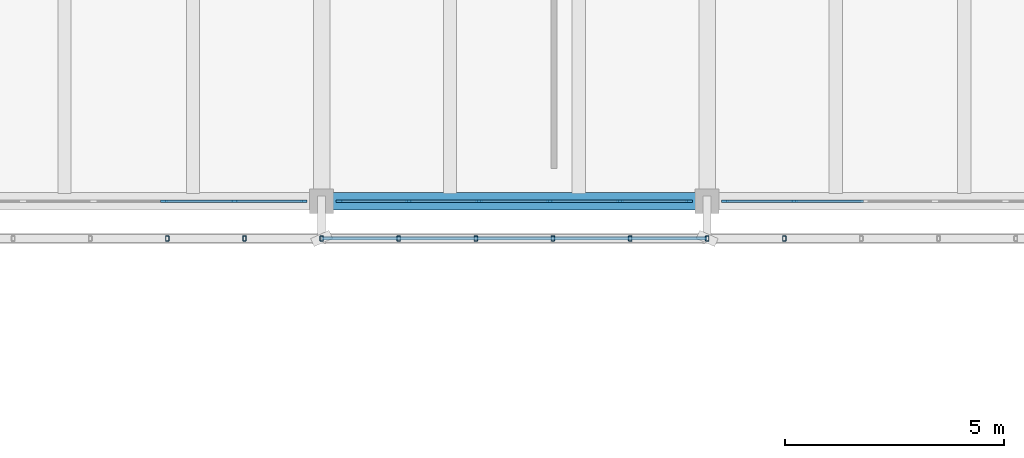
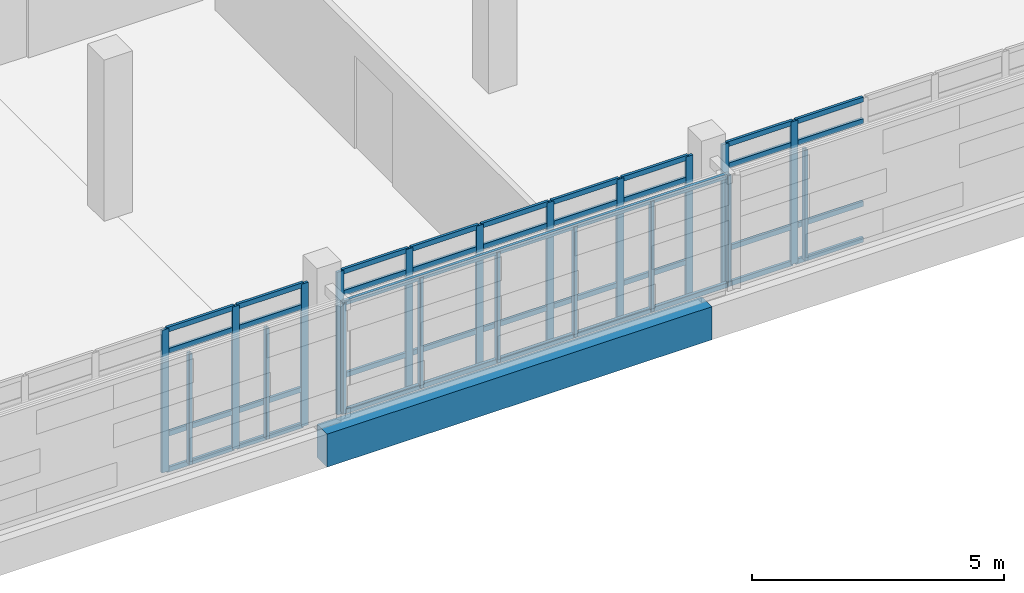
# One storey, part 53 of 117: 58 members, 1 beam, 3 elements without a shape of their own.
"""IFC4 building model written with IfcOpenShell, lengths in metres."""

from ifc_helpers import new_model, si_unit, direction, frame, origin, origin_2d, place, context, subcontext, project, spatial, rectangle, hollow_rectangle, extrude, material, material_profile, profile_set, type_object, element, aggregate, save


model = new_model("IFC4")

# Units and contexts
model_context = context("Model", 3, precision=1e-05, world=origin(), true_north=direction((0.0, 1.0)))
body_context = subcontext(model_context, "Body", "Model", "MODEL_VIEW")
ifc_project = project(units=[si_unit("LENGTHUNIT", "METRE"), si_unit("AREAUNIT", "SQUARE_METRE"), si_unit("VOLUMEUNIT", "CUBIC_METRE"), si_unit("PLANEANGLEUNIT", "RADIAN"), si_unit("MASSUNIT", "GRAM", prefix="KILO")], contexts=[model_context])

# Site, building, storey
site_placement = place(None, origin())
site = spatial("IfcSite", under=ifc_project, at=site_placement, CompositionType="ELEMENT")
building_placement = place(site_placement, origin())
building = spatial("IfcBuilding", under=site, at=building_placement, Name="Cinderway Yard Community Centre", CompositionType="ELEMENT")
storey_placement = place(building_placement, frame((0.0, 0.0, 9.0)))
storey = spatial("IfcBuildingStorey", under=building, at=storey_placement, Name="L02", CompositionType="ELEMENT", Elevation=9.0)

# Curtain wall, members
ifc_material_1 = material(Name="Aluminium 6063-T6", Category="aluminium")
curtain_wall_type = type_object("IfcCurtainWallType", Name="ENV-CW-TYPE-30", PredefinedType="USERDEFINED", material=ifc_material_1)
curtain_wall_1_placement = place(storey_placement, origin())
curtain_wall_1 = element("IfcCurtainWall", 1, at=curtain_wall_1_placement, inside=storey, type_object=curtain_wall_type, Name="V4 Courtyard Curtain Wall ENV-CW-L02-ST-0150", ObjectType="GLAZED CURTAIN WALL", PredefinedType="USERDEFINED")
ifc_material_profile_1 = material_profile(ifc_material_1, rectangle(XDim=0.06005859375, YDim=0.159912109375, at=origin_2d()), Name="Aluminium 6063-T6")
ifc_profile_set_1 = profile_set([ifc_material_profile_1], Name="Aluminium 6063-T6")
member_type_1 = type_object("IfcMemberType", Name="ENV-CW-MULL-150", PredefinedType="MULLION", material=ifc_profile_set_1)
member_1_placement = place(storey_placement, frame((89.2041015625, 90.0, 0.0), z_axis=(0.0, 0.0, 1.0), x_axis=(0.0, 1.0, 0.0)))
member_1 = element("IfcMember", 2, at=member_1_placement, type_object=member_type_1, Name="CW-30 mullion 4", PredefinedType="MULLION", context=body_context, shape_type="SweptSolid", body=[
    extrude(rectangle(XDim=0.06005859375, YDim=0.159912109375, at=origin_2d()), origin(), (0.0, 0.0, 1.0), 3.449951171875),
])
member_2_placement = place(storey_placement, frame((90.81201171875, 90.0, 0.0), z_axis=(0.0, 0.0, 1.0), x_axis=(0.0, 1.0, 0.0)))
member_2 = element("IfcMember", 3, at=member_2_placement, type_object=member_type_1, Name="CW-30 mullion 5", PredefinedType="MULLION", context=body_context, shape_type="SweptSolid", body=[
    extrude(rectangle(XDim=0.06005859375, YDim=0.159912109375, at=origin_2d()), origin(), (0.0, 0.0, 1.0), 3.449951171875),
])
member_3_placement = place(storey_placement, frame((92.389892578125, 90.0, 0.0), z_axis=(0.0, 0.0, 1.0), x_axis=(0.0, 1.0, 0.0)))
member_3 = element("IfcMember", 4, at=member_3_placement, type_object=member_type_1, Name="CW-30 mullion 6", PredefinedType="MULLION", context=body_context, shape_type="SweptSolid", body=[
    extrude(rectangle(XDim=0.06005859375, YDim=0.159912109375, at=origin_2d()), origin(), (0.0, 0.0, 1.0), 3.449951171875),
])

curtain_wall_2_placement = place(storey_placement, origin())
curtain_wall_2 = element("IfcCurtainWall", 5, at=curtain_wall_2_placement, inside=storey, type_object=curtain_wall_type, Name="V4 Courtyard Curtain Wall ENV-CW-L02-ST-0152", ObjectType="GLAZED CURTAIN WALL", PredefinedType="USERDEFINED")
member_4_placement = place(storey_placement, frame((93.2099609375, 90.0, 0.0), z_axis=(0.0, 0.0, 1.0), x_axis=(0.0, 1.0, 0.0)))
member_4 = element("IfcMember", 6, at=member_4_placement, type_object=member_type_1, Name="CW-30 mullion 1", PredefinedType="MULLION", context=body_context, shape_type="SweptSolid", body=[
    extrude(rectangle(XDim=0.06005859375, YDim=0.159912109375, at=origin_2d()), origin(), (0.0, 0.0, 1.0), 3.449951171875),
])
member_5_placement = place(storey_placement, frame((94.7880859375, 90.0, 0.0), z_axis=(0.0, 0.0, 1.0), x_axis=(0.0, 1.0, 0.0)))
member_5 = element("IfcMember", 7, at=member_5_placement, type_object=member_type_1, Name="CW-30 mullion 2", PredefinedType="MULLION", context=body_context, shape_type="SweptSolid", body=[
    extrude(rectangle(XDim=0.06005859375, YDim=0.159912109375, at=origin_2d()), origin(), (0.0, 0.0, 1.0), 3.449951171875),
])
member_6_placement = place(storey_placement, frame((96.39599609375, 90.0, 0.0), z_axis=(0.0, 0.0, 1.0), x_axis=(0.0, 1.0, 0.0)))
member_6 = element("IfcMember", 8, at=member_6_placement, type_object=member_type_1, Name="CW-30 mullion 3", PredefinedType="MULLION", context=body_context, shape_type="SweptSolid", body=[
    extrude(rectangle(XDim=0.06005859375, YDim=0.159912109375, at=origin_2d()), origin(), (0.0, 0.0, 1.0), 3.449951171875),
])
member_7_placement = place(storey_placement, frame((98.00390625, 90.0, 0.0), z_axis=(0.0, 0.0, 1.0), x_axis=(0.0, 1.0, 0.0)))
member_7 = element("IfcMember", 9, at=member_7_placement, type_object=member_type_1, Name="CW-30 mullion 4", PredefinedType="MULLION", context=body_context, shape_type="SweptSolid", body=[
    extrude(rectangle(XDim=0.06005859375, YDim=0.159912109375, at=origin_2d()), origin(), (0.0, 0.0, 1.0), 3.449951171875),
])
member_8_placement = place(storey_placement, frame((99.612060546875, 90.0, 0.0), z_axis=(0.0, 0.0, 1.0), x_axis=(0.0, 1.0, 0.0)))
member_8 = element("IfcMember", 10, at=member_8_placement, type_object=member_type_1, Name="CW-30 mullion 5", PredefinedType="MULLION", context=body_context, shape_type="SweptSolid", body=[
    extrude(rectangle(XDim=0.06005859375, YDim=0.159912109375, at=origin_2d()), origin(), (0.0, 0.0, 1.0), 3.449951171875),
])
member_9_placement = place(storey_placement, frame((101.18994140625, 90.0, 0.0), z_axis=(0.0, 0.0, 1.0), x_axis=(0.0, 1.0, 0.0)))
member_9 = element("IfcMember", 11, at=member_9_placement, type_object=member_type_1, Name="CW-30 mullion 6", PredefinedType="MULLION", context=body_context, shape_type="SweptSolid", body=[
    extrude(rectangle(XDim=0.06005859375, YDim=0.159912109375, at=origin_2d()), origin(), (0.0, 0.0, 1.0), 3.449951171875),
])

curtain_wall_3_placement = place(storey_placement, origin())
curtain_wall_3 = element("IfcCurtainWall", 12, at=curtain_wall_3_placement, inside=storey, type_object=curtain_wall_type, Name="V4 Courtyard Curtain Wall ENV-CW-L02-ST-0153", ObjectType="GLAZED CURTAIN WALL", PredefinedType="USERDEFINED")
member_10_placement = place(storey_placement, frame((102.010009765625, 90.0, 0.0), z_axis=(0.0, 0.0, 1.0), x_axis=(0.0, 1.0, 0.0)))
member_10 = element("IfcMember", 13, at=member_10_placement, type_object=member_type_1, Name="CW-30 mullion 1", PredefinedType="MULLION", context=body_context, shape_type="SweptSolid", body=[
    extrude(rectangle(XDim=0.06005859375, YDim=0.159912109375, at=origin_2d()), origin(), (0.0, 0.0, 1.0), 3.449951171875),
])
member_11_placement = place(storey_placement, frame((103.587890625, 90.0, 0.0), z_axis=(0.0, 0.0, 1.0), x_axis=(0.0, 1.0, 0.0)))
member_11 = element("IfcMember", 14, at=member_11_placement, type_object=member_type_1, Name="CW-30 mullion 2", PredefinedType="MULLION", context=body_context, shape_type="SweptSolid", body=[
    extrude(rectangle(XDim=0.06005859375, YDim=0.159912109375, at=origin_2d()), origin(), (0.0, 0.0, 1.0), 3.449951171875),
])

# Member
ifc_material_profile_2 = material_profile(ifc_material_1, rectangle(XDim=0.06005859375, YDim=0.1201171875, at=origin_2d()), Name="Aluminium 6063-T6")
ifc_profile_set_2 = profile_set([ifc_material_profile_2], Name="Aluminium 6063-T6")
member_type_2 = type_object("IfcMemberType", Name="ENV-CW-TRAN-110", PredefinedType="USERDEFINED", material=ifc_profile_set_2)
member_12_placement = place(storey_placement, frame((89.23388671875, 90.0, 0.030029296875), z_axis=(1.0, 0.0, 0.0), x_axis=(0.0, 1.0, 0.0)))
member_12 = element("IfcMember", 15, at=member_12_placement, type_object=member_type_2, Name="CW-30 transom 4.1", ObjectType="TRANSOM", PredefinedType="USERDEFINED", context=body_context, shape_type="SweptSolid", body=[
    extrude(rectangle(XDim=0.06005859375, YDim=0.1201171875, at=origin_2d()), origin(), (0.0, 0.0, 1.0), 1.548095703125),
])

member_13_placement = place(storey_placement, frame((89.23388671875, 90.0, 0.89990234375), z_axis=(1.0, 0.0, 0.0), x_axis=(0.0, 1.0, 0.0)))
member_13 = element("IfcMember", 16, at=member_13_placement, type_object=member_type_2, Name="CW-30 transom 4.2", ObjectType="TRANSOM", PredefinedType="USERDEFINED", context=body_context, shape_type="SweptSolid", body=[
    extrude(rectangle(XDim=0.06005859375, YDim=0.1201171875, at=origin_2d()), origin(), (0.0, 0.0, 1.0), 1.548095703125),
])

member_14_placement = place(storey_placement, frame((89.23388671875, 90.0, 2.89990234375), z_axis=(1.0, 0.0, 0.0), x_axis=(0.0, 1.0, 0.0)))
member_14 = element("IfcMember", 17, at=member_14_placement, type_object=member_type_2, Name="CW-30 transom 4.3", ObjectType="TRANSOM", PredefinedType="USERDEFINED", context=body_context, shape_type="SweptSolid", body=[
    extrude(rectangle(XDim=0.06005859375, YDim=0.1201171875, at=origin_2d()), origin(), (0.0, 0.0, 1.0), 1.548095703125),
])

member_15_placement = place(storey_placement, frame((89.23388671875, 90.0, 3.419921875), z_axis=(1.0, 0.0, 0.0), x_axis=(0.0, 1.0, 0.0)))
member_15 = element("IfcMember", 18, at=member_15_placement, type_object=member_type_2, Name="CW-30 transom 4.4", ObjectType="TRANSOM", PredefinedType="USERDEFINED", context=body_context, shape_type="SweptSolid", body=[
    extrude(rectangle(XDim=0.06005859375, YDim=0.1201171875, at=origin_2d()), origin(), (0.0, 0.0, 1.0), 1.548095703125),
])

member_16_placement = place(storey_placement, frame((90.842041015625, 90.0, 0.030029296875), z_axis=(1.0, 0.0, 0.0), x_axis=(0.0, 1.0, 0.0)))
member_16 = element("IfcMember", 19, at=member_16_placement, type_object=member_type_2, Name="CW-30 transom 5.1", ObjectType="TRANSOM", PredefinedType="USERDEFINED", context=body_context, shape_type="SweptSolid", body=[
    extrude(rectangle(XDim=0.06005859375, YDim=0.1201171875, at=origin_2d()), origin(), (0.0, 0.0, 1.0), 1.51806640625),
])

member_17_placement = place(storey_placement, frame((90.842041015625, 90.0, 0.89990234375), z_axis=(1.0, 0.0, 0.0), x_axis=(0.0, 1.0, 0.0)))
member_17 = element("IfcMember", 20, at=member_17_placement, type_object=member_type_2, Name="CW-30 transom 5.2", ObjectType="TRANSOM", PredefinedType="USERDEFINED", context=body_context, shape_type="SweptSolid", body=[
    extrude(rectangle(XDim=0.06005859375, YDim=0.1201171875, at=origin_2d()), origin(), (0.0, 0.0, 1.0), 1.51806640625),
])

member_18_placement = place(storey_placement, frame((90.842041015625, 90.0, 2.89990234375), z_axis=(1.0, 0.0, 0.0), x_axis=(0.0, 1.0, 0.0)))
member_18 = element("IfcMember", 21, at=member_18_placement, type_object=member_type_2, Name="CW-30 transom 5.3", ObjectType="TRANSOM", PredefinedType="USERDEFINED", context=body_context, shape_type="SweptSolid", body=[
    extrude(rectangle(XDim=0.06005859375, YDim=0.1201171875, at=origin_2d()), origin(), (0.0, 0.0, 1.0), 1.51806640625),
])

member_19_placement = place(storey_placement, frame((90.842041015625, 90.0, 3.419921875), z_axis=(1.0, 0.0, 0.0), x_axis=(0.0, 1.0, 0.0)))
member_19 = element("IfcMember", 22, at=member_19_placement, type_object=member_type_2, Name="CW-30 transom 5.4", ObjectType="TRANSOM", PredefinedType="USERDEFINED", context=body_context, shape_type="SweptSolid", body=[
    extrude(rectangle(XDim=0.06005859375, YDim=0.1201171875, at=origin_2d()), origin(), (0.0, 0.0, 1.0), 1.51806640625),
])

aggregate(curtain_wall_1, [member_1, member_2, member_3, member_12, member_13, member_14, member_15, member_16, member_17, member_18, member_19])

member_20_placement = place(storey_placement, frame((93.239990234375, 90.0, 0.030029296875), z_axis=(1.0, 0.0, 0.0), x_axis=(0.0, 1.0, 0.0)))
member_20 = element("IfcMember", 23, at=member_20_placement, type_object=member_type_2, Name="CW-30 transom 1.1", ObjectType="TRANSOM", PredefinedType="USERDEFINED", context=body_context, shape_type="SweptSolid", body=[
    extrude(rectangle(XDim=0.06005859375, YDim=0.1201171875, at=origin_2d()), origin(), (0.0, 0.0, 1.0), 1.51806640625),
])

member_21_placement = place(storey_placement, frame((93.239990234375, 90.0, 0.89990234375), z_axis=(1.0, 0.0, 0.0), x_axis=(0.0, 1.0, 0.0)))
member_21 = element("IfcMember", 24, at=member_21_placement, type_object=member_type_2, Name="CW-30 transom 1.2", ObjectType="TRANSOM", PredefinedType="USERDEFINED", context=body_context, shape_type="SweptSolid", body=[
    extrude(rectangle(XDim=0.06005859375, YDim=0.1201171875, at=origin_2d()), origin(), (0.0, 0.0, 1.0), 1.51806640625),
])

member_22_placement = place(storey_placement, frame((93.239990234375, 90.0, 2.89990234375), z_axis=(1.0, 0.0, 0.0), x_axis=(0.0, 1.0, 0.0)))
member_22 = element("IfcMember", 25, at=member_22_placement, type_object=member_type_2, Name="CW-30 transom 1.3", ObjectType="TRANSOM", PredefinedType="USERDEFINED", context=body_context, shape_type="SweptSolid", body=[
    extrude(rectangle(XDim=0.06005859375, YDim=0.1201171875, at=origin_2d()), origin(), (0.0, 0.0, 1.0), 1.51806640625),
])

member_23_placement = place(storey_placement, frame((93.239990234375, 90.0, 3.419921875), z_axis=(1.0, 0.0, 0.0), x_axis=(0.0, 1.0, 0.0)))
member_23 = element("IfcMember", 26, at=member_23_placement, type_object=member_type_2, Name="CW-30 transom 1.4", ObjectType="TRANSOM", PredefinedType="USERDEFINED", context=body_context, shape_type="SweptSolid", body=[
    extrude(rectangle(XDim=0.06005859375, YDim=0.1201171875, at=origin_2d()), origin(), (0.0, 0.0, 1.0), 1.51806640625),
])

member_24_placement = place(storey_placement, frame((94.818115234375, 90.0, 0.030029296875), z_axis=(1.0, 0.0, 0.0), x_axis=(0.0, 1.0, 0.0)))
member_24 = element("IfcMember", 27, at=member_24_placement, type_object=member_type_2, Name="CW-30 transom 2.1", ObjectType="TRANSOM", PredefinedType="USERDEFINED", context=body_context, shape_type="SweptSolid", body=[
    extrude(rectangle(XDim=0.06005859375, YDim=0.1201171875, at=origin_2d()), origin(), (0.0, 0.0, 1.0), 1.5478515625),
])

member_25_placement = place(storey_placement, frame((94.818115234375, 90.0, 0.89990234375), z_axis=(1.0, 0.0, 0.0), x_axis=(0.0, 1.0, 0.0)))
member_25 = element("IfcMember", 28, at=member_25_placement, type_object=member_type_2, Name="CW-30 transom 2.2", ObjectType="TRANSOM", PredefinedType="USERDEFINED", context=body_context, shape_type="SweptSolid", body=[
    extrude(rectangle(XDim=0.06005859375, YDim=0.1201171875, at=origin_2d()), origin(), (0.0, 0.0, 1.0), 1.5478515625),
])

member_26_placement = place(storey_placement, frame((94.818115234375, 90.0, 2.89990234375), z_axis=(1.0, 0.0, 0.0), x_axis=(0.0, 1.0, 0.0)))
member_26 = element("IfcMember", 29, at=member_26_placement, type_object=member_type_2, Name="CW-30 transom 2.3", ObjectType="TRANSOM", PredefinedType="USERDEFINED", context=body_context, shape_type="SweptSolid", body=[
    extrude(rectangle(XDim=0.06005859375, YDim=0.1201171875, at=origin_2d()), origin(), (0.0, 0.0, 1.0), 1.5478515625),
])

member_27_placement = place(storey_placement, frame((94.818115234375, 90.0, 3.419921875), z_axis=(1.0, 0.0, 0.0), x_axis=(0.0, 1.0, 0.0)))
member_27 = element("IfcMember", 30, at=member_27_placement, type_object=member_type_2, Name="CW-30 transom 2.4", ObjectType="TRANSOM", PredefinedType="USERDEFINED", context=body_context, shape_type="SweptSolid", body=[
    extrude(rectangle(XDim=0.06005859375, YDim=0.1201171875, at=origin_2d()), origin(), (0.0, 0.0, 1.0), 1.5478515625),
])

member_28_placement = place(storey_placement, frame((96.426025390625, 90.0, 0.030029296875), z_axis=(1.0, 0.0, 0.0), x_axis=(0.0, 1.0, 0.0)))
member_28 = element("IfcMember", 31, at=member_28_placement, type_object=member_type_2, Name="CW-30 transom 3.1", ObjectType="TRANSOM", PredefinedType="USERDEFINED", context=body_context, shape_type="SweptSolid", body=[
    extrude(rectangle(XDim=0.06005859375, YDim=0.1201171875, at=origin_2d()), origin(), (0.0, 0.0, 1.0), 1.548095703125),
])

member_29_placement = place(storey_placement, frame((96.426025390625, 90.0, 0.89990234375), z_axis=(1.0, 0.0, 0.0), x_axis=(0.0, 1.0, 0.0)))
member_29 = element("IfcMember", 32, at=member_29_placement, type_object=member_type_2, Name="CW-30 transom 3.2", ObjectType="TRANSOM", PredefinedType="USERDEFINED", context=body_context, shape_type="SweptSolid", body=[
    extrude(rectangle(XDim=0.06005859375, YDim=0.1201171875, at=origin_2d()), origin(), (0.0, 0.0, 1.0), 1.548095703125),
])

member_30_placement = place(storey_placement, frame((96.426025390625, 90.0, 2.89990234375), z_axis=(1.0, 0.0, 0.0), x_axis=(0.0, 1.0, 0.0)))
member_30 = element("IfcMember", 33, at=member_30_placement, type_object=member_type_2, Name="CW-30 transom 3.3", ObjectType="TRANSOM", PredefinedType="USERDEFINED", context=body_context, shape_type="SweptSolid", body=[
    extrude(rectangle(XDim=0.06005859375, YDim=0.1201171875, at=origin_2d()), origin(), (0.0, 0.0, 1.0), 1.548095703125),
])

member_31_placement = place(storey_placement, frame((96.426025390625, 90.0, 3.419921875), z_axis=(1.0, 0.0, 0.0), x_axis=(0.0, 1.0, 0.0)))
member_31 = element("IfcMember", 34, at=member_31_placement, type_object=member_type_2, Name="CW-30 transom 3.4", ObjectType="TRANSOM", PredefinedType="USERDEFINED", context=body_context, shape_type="SweptSolid", body=[
    extrude(rectangle(XDim=0.06005859375, YDim=0.1201171875, at=origin_2d()), origin(), (0.0, 0.0, 1.0), 1.548095703125),
])

member_32_placement = place(storey_placement, frame((98.033935546875, 90.0, 0.030029296875), z_axis=(1.0, 0.0, 0.0), x_axis=(0.0, 1.0, 0.0)))
member_32 = element("IfcMember", 35, at=member_32_placement, type_object=member_type_2, Name="CW-30 transom 4.1", ObjectType="TRANSOM", PredefinedType="USERDEFINED", context=body_context, shape_type="SweptSolid", body=[
    extrude(rectangle(XDim=0.06005859375, YDim=0.1201171875, at=origin_2d()), origin(), (0.0, 0.0, 1.0), 1.548095703125),
])

member_33_placement = place(storey_placement, frame((98.033935546875, 90.0, 0.89990234375), z_axis=(1.0, 0.0, 0.0), x_axis=(0.0, 1.0, 0.0)))
member_33 = element("IfcMember", 36, at=member_33_placement, type_object=member_type_2, Name="CW-30 transom 4.2", ObjectType="TRANSOM", PredefinedType="USERDEFINED", context=body_context, shape_type="SweptSolid", body=[
    extrude(rectangle(XDim=0.06005859375, YDim=0.1201171875, at=origin_2d()), origin(), (0.0, 0.0, 1.0), 1.548095703125),
])

member_34_placement = place(storey_placement, frame((98.033935546875, 90.0, 2.89990234375), z_axis=(1.0, 0.0, 0.0), x_axis=(0.0, 1.0, 0.0)))
member_34 = element("IfcMember", 37, at=member_34_placement, type_object=member_type_2, Name="CW-30 transom 4.3", ObjectType="TRANSOM", PredefinedType="USERDEFINED", context=body_context, shape_type="SweptSolid", body=[
    extrude(rectangle(XDim=0.06005859375, YDim=0.1201171875, at=origin_2d()), origin(), (0.0, 0.0, 1.0), 1.548095703125),
])

member_35_placement = place(storey_placement, frame((98.033935546875, 90.0, 3.419921875), z_axis=(1.0, 0.0, 0.0), x_axis=(0.0, 1.0, 0.0)))
member_35 = element("IfcMember", 38, at=member_35_placement, type_object=member_type_2, Name="CW-30 transom 4.4", ObjectType="TRANSOM", PredefinedType="USERDEFINED", context=body_context, shape_type="SweptSolid", body=[
    extrude(rectangle(XDim=0.06005859375, YDim=0.1201171875, at=origin_2d()), origin(), (0.0, 0.0, 1.0), 1.548095703125),
])

member_36_placement = place(storey_placement, frame((99.64208984375, 90.0, 0.030029296875), z_axis=(1.0, 0.0, 0.0), x_axis=(0.0, 1.0, 0.0)))
member_36 = element("IfcMember", 39, at=member_36_placement, type_object=member_type_2, Name="CW-30 transom 5.1", ObjectType="TRANSOM", PredefinedType="USERDEFINED", context=body_context, shape_type="SweptSolid", body=[
    extrude(rectangle(XDim=0.06005859375, YDim=0.1201171875, at=origin_2d()), origin(), (0.0, 0.0, 1.0), 1.517822265625),
])

member_37_placement = place(storey_placement, frame((99.64208984375, 90.0, 0.89990234375), z_axis=(1.0, 0.0, 0.0), x_axis=(0.0, 1.0, 0.0)))
member_37 = element("IfcMember", 40, at=member_37_placement, type_object=member_type_2, Name="CW-30 transom 5.2", ObjectType="TRANSOM", PredefinedType="USERDEFINED", context=body_context, shape_type="SweptSolid", body=[
    extrude(rectangle(XDim=0.06005859375, YDim=0.1201171875, at=origin_2d()), origin(), (0.0, 0.0, 1.0), 1.517822265625),
])

member_38_placement = place(storey_placement, frame((99.64208984375, 90.0, 2.89990234375), z_axis=(1.0, 0.0, 0.0), x_axis=(0.0, 1.0, 0.0)))
member_38 = element("IfcMember", 41, at=member_38_placement, type_object=member_type_2, Name="CW-30 transom 5.3", ObjectType="TRANSOM", PredefinedType="USERDEFINED", context=body_context, shape_type="SweptSolid", body=[
    extrude(rectangle(XDim=0.06005859375, YDim=0.1201171875, at=origin_2d()), origin(), (0.0, 0.0, 1.0), 1.517822265625),
])

member_39_placement = place(storey_placement, frame((99.64208984375, 90.0, 3.419921875), z_axis=(1.0, 0.0, 0.0), x_axis=(0.0, 1.0, 0.0)))
member_39 = element("IfcMember", 42, at=member_39_placement, type_object=member_type_2, Name="CW-30 transom 5.4", ObjectType="TRANSOM", PredefinedType="USERDEFINED", context=body_context, shape_type="SweptSolid", body=[
    extrude(rectangle(XDim=0.06005859375, YDim=0.1201171875, at=origin_2d()), origin(), (0.0, 0.0, 1.0), 1.517822265625),
])

aggregate(curtain_wall_2, [member_4, member_5, member_6, member_7, member_8, member_9, member_20, member_21, member_22, member_23, member_24, member_25, member_26, member_27, member_28, member_29, member_30, member_31, member_32, member_33, member_34, member_35, member_36, member_37, member_38, member_39])

member_40_placement = place(storey_placement, frame((102.0400390625, 90.0, 0.030029296875), z_axis=(1.0, 0.0, 0.0), x_axis=(0.0, 1.0, 0.0)))
member_40 = element("IfcMember", 43, at=member_40_placement, type_object=member_type_2, Name="CW-30 transom 1.1", ObjectType="TRANSOM", PredefinedType="USERDEFINED", context=body_context, shape_type="SweptSolid", body=[
    extrude(rectangle(XDim=0.06005859375, YDim=0.1201171875, at=origin_2d()), origin(), (0.0, 0.0, 1.0), 1.51806640625),
])

member_41_placement = place(storey_placement, frame((102.0400390625, 90.0, 0.89990234375), z_axis=(1.0, 0.0, 0.0), x_axis=(0.0, 1.0, 0.0)))
member_41 = element("IfcMember", 44, at=member_41_placement, type_object=member_type_2, Name="CW-30 transom 1.2", ObjectType="TRANSOM", PredefinedType="USERDEFINED", context=body_context, shape_type="SweptSolid", body=[
    extrude(rectangle(XDim=0.06005859375, YDim=0.1201171875, at=origin_2d()), origin(), (0.0, 0.0, 1.0), 1.51806640625),
])

member_42_placement = place(storey_placement, frame((102.0400390625, 90.0, 2.89990234375), z_axis=(1.0, 0.0, 0.0), x_axis=(0.0, 1.0, 0.0)))
member_42 = element("IfcMember", 45, at=member_42_placement, type_object=member_type_2, Name="CW-30 transom 1.3", ObjectType="TRANSOM", PredefinedType="USERDEFINED", context=body_context, shape_type="SweptSolid", body=[
    extrude(rectangle(XDim=0.06005859375, YDim=0.1201171875, at=origin_2d()), origin(), (0.0, 0.0, 1.0), 1.51806640625),
])

member_43_placement = place(storey_placement, frame((102.0400390625, 90.0, 3.419921875), z_axis=(1.0, 0.0, 0.0), x_axis=(0.0, 1.0, 0.0)))
member_43 = element("IfcMember", 46, at=member_43_placement, type_object=member_type_2, Name="CW-30 transom 1.4", ObjectType="TRANSOM", PredefinedType="USERDEFINED", context=body_context, shape_type="SweptSolid", body=[
    extrude(rectangle(XDim=0.06005859375, YDim=0.1201171875, at=origin_2d()), origin(), (0.0, 0.0, 1.0), 1.51806640625),
])

member_44_placement = place(storey_placement, frame((103.617919921875, 90.0, 0.030029296875), z_axis=(1.0, 0.0, 0.0), x_axis=(0.0, 1.0, 0.0)))
member_44 = element("IfcMember", 47, at=member_44_placement, type_object=member_type_2, Name="CW-30 transom 2.1", ObjectType="TRANSOM", PredefinedType="USERDEFINED", context=body_context, shape_type="SweptSolid", body=[
    extrude(rectangle(XDim=0.06005859375, YDim=0.1201171875, at=origin_2d()), origin(), (0.0, 0.0, 1.0), 1.548095703125),
])

member_45_placement = place(storey_placement, frame((103.617919921875, 90.0, 0.89990234375), z_axis=(1.0, 0.0, 0.0), x_axis=(0.0, 1.0, 0.0)))
member_45 = element("IfcMember", 48, at=member_45_placement, type_object=member_type_2, Name="CW-30 transom 2.2", ObjectType="TRANSOM", PredefinedType="USERDEFINED", context=body_context, shape_type="SweptSolid", body=[
    extrude(rectangle(XDim=0.06005859375, YDim=0.1201171875, at=origin_2d()), origin(), (0.0, 0.0, 1.0), 1.548095703125),
])

member_46_placement = place(storey_placement, frame((103.617919921875, 90.0, 2.89990234375), z_axis=(1.0, 0.0, 0.0), x_axis=(0.0, 1.0, 0.0)))
member_46 = element("IfcMember", 49, at=member_46_placement, type_object=member_type_2, Name="CW-30 transom 2.3", ObjectType="TRANSOM", PredefinedType="USERDEFINED", context=body_context, shape_type="SweptSolid", body=[
    extrude(rectangle(XDim=0.06005859375, YDim=0.1201171875, at=origin_2d()), origin(), (0.0, 0.0, 1.0), 1.548095703125),
])

member_47_placement = place(storey_placement, frame((103.617919921875, 90.0, 3.419921875), z_axis=(1.0, 0.0, 0.0), x_axis=(0.0, 1.0, 0.0)))
member_47 = element("IfcMember", 50, at=member_47_placement, type_object=member_type_2, Name="CW-30 transom 2.4", ObjectType="TRANSOM", PredefinedType="USERDEFINED", context=body_context, shape_type="SweptSolid", body=[
    extrude(rectangle(XDim=0.06005859375, YDim=0.1201171875, at=origin_2d()), origin(), (0.0, 0.0, 1.0), 1.548095703125),
])

aggregate(curtain_wall_3, [member_10, member_11, member_40, member_41, member_42, member_43, member_44, member_45, member_46, member_47])

# Members
ifc_material_2 = material(Name="Steel S355", Category="steel")
ifc_material_profile_3 = material_profile(ifc_material_2, hollow_rectangle(XDim=0.080078125, YDim=0.1201171875, WallThickness=0.00634765625, InnerFilletRadius=0.00634765625, OuterFilletRadius=0.0126953125, at=origin_2d()), Name="Steel S355")
ifc_profile_set_3 = profile_set([ifc_material_profile_3], Name="Steel S355")
member_type_3 = type_object("IfcMemberType", Name="ENV-MEM-SCREEN-RAIL-120", PredefinedType="STRINGER", material=ifc_profile_set_3)
for number, where, z_axis, x_axis, name in (
    (51, (89.280029296875, 89.14990234375, 0.68994140625), (0.0, 0.0, 1.0), (1.0, 0.0, 0.0), "Screen vertical mullion 0459"),
    (52, (91.0400390625, 89.14990234375, 0.68994140625), (0.0, 0.0, 1.0), (1.0, 0.0, 0.0), "Screen vertical mullion 0460"),
    (53, (92.800048828125, 89.14990234375, 0.68994140625), (0.0, 0.0, 1.0), (1.0, 0.0, 0.0), "Screen vertical mullion 0461"),
):
    element("IfcMember", number, at=place(storey_placement, frame(where, z_axis=z_axis, x_axis=x_axis)), inside=storey, type_object=member_type_3, Name=name, PredefinedType="STRINGER", context=body_context, shape_type="SweptSolid", body=[
        extrude(hollow_rectangle(XDim=0.080078125, YDim=0.1201171875, WallThickness=0.00634765625, InnerFilletRadius=0.00634765625, OuterFilletRadius=0.0126953125, at=origin_2d()), origin(), (0.0, 0.0, 1.0), 2.670166015625),
    ])
for number, where, z_axis, x_axis, name in (
    (54, (92.800048828125, 89.14990234375, 0.7099609375), (1.0, 0.0, 0.0), (0.0, 1.0, 0.0), "Screen support rail 0463-BOT"),
    (55, (92.800048828125, 89.14990234375, 3.340087890625), (1.0, 0.0, 0.0), (0.0, 1.0, 0.0), "Screen support rail 0464-TOP"),
):
    element("IfcMember", number, at=place(storey_placement, frame(where, z_axis=z_axis, x_axis=x_axis)), inside=storey, type_object=member_type_3, Name=name, PredefinedType="STRINGER", context=body_context, shape_type="SweptSolid", body=[
        extrude(hollow_rectangle(XDim=0.080078125, YDim=0.1201171875, WallThickness=0.00634765625, InnerFilletRadius=0.00634765625, OuterFilletRadius=0.0126953125, at=origin_2d()), origin(), (0.0, 0.0, 1.0), 8.800048828125),
    ])
for number, where, z_axis, x_axis, name in (
    (56, (94.56005859375, 89.14990234375, 0.68994140625), (0.0, 0.0, 1.0), (1.0, 0.0, 0.0), "Screen vertical mullion 0465"),
    (57, (96.320068359375, 89.14990234375, 0.68994140625), (0.0, 0.0, 1.0), (1.0, 0.0, 0.0), "Screen vertical mullion 0466"),
    (58, (98.080078125, 89.14990234375, 0.68994140625), (0.0, 0.0, 1.0), (1.0, 0.0, 0.0), "Screen vertical mullion 0467"),
    (59, (99.840087890625, 89.14990234375, 0.68994140625), (0.0, 0.0, 1.0), (1.0, 0.0, 0.0), "Screen vertical mullion 0468"),
    (60, (101.60009765625, 89.14990234375, 0.68994140625), (0.0, 0.0, 1.0), (1.0, 0.0, 0.0), "Screen vertical mullion 0469"),
    (61, (103.360107421875, 89.14990234375, 0.68994140625), (0.0, 0.0, 1.0), (1.0, 0.0, 0.0), "Screen vertical mullion 0473"),
):
    element("IfcMember", number, at=place(storey_placement, frame(where, z_axis=z_axis, x_axis=x_axis)), inside=storey, type_object=member_type_3, Name=name, PredefinedType="STRINGER", context=body_context, shape_type="SweptSolid", body=[
        extrude(hollow_rectangle(XDim=0.080078125, YDim=0.1201171875, WallThickness=0.00634765625, InnerFilletRadius=0.00634765625, OuterFilletRadius=0.0126953125, at=origin_2d()), origin(), (0.0, 0.0, 1.0), 2.670166015625),
    ])

# Beam
ifc_material_3 = material(Name="Concrete C40/50", Category="concrete")
ifc_material_profile_4 = material_profile(ifc_material_3, rectangle(XDim=0.39990234375, YDim=0.800048828125, at=origin_2d()), Name="Concrete C40/50")
ifc_profile_set_4 = profile_set([ifc_material_profile_4], Name="Concrete C40/50")
beam_type = type_object("IfcBeamType", Name="STR-BM-RC400X800", PredefinedType="BEAM", material=ifc_profile_set_4)
beam_placement = place(storey_placement, frame((92.800048828125, 90.0, -0.639892578125), z_axis=(1.0, 0.0, 0.0), x_axis=(0.0, 1.0, 0.0)))
element("IfcBeam", 62, at=beam_placement, inside=storey, type_object=beam_type, Name="Primary girder STR-BM-L02-BG05-0502", PredefinedType="BEAM", context=body_context, shape_type="SweptSolid", body=[
    extrude(rectangle(XDim=0.39990234375, YDim=0.800048828125, at=origin_2d()), origin(), (0.0, 0.0, 1.0), 8.800048828125),
])

save(model, "model.ifc")
